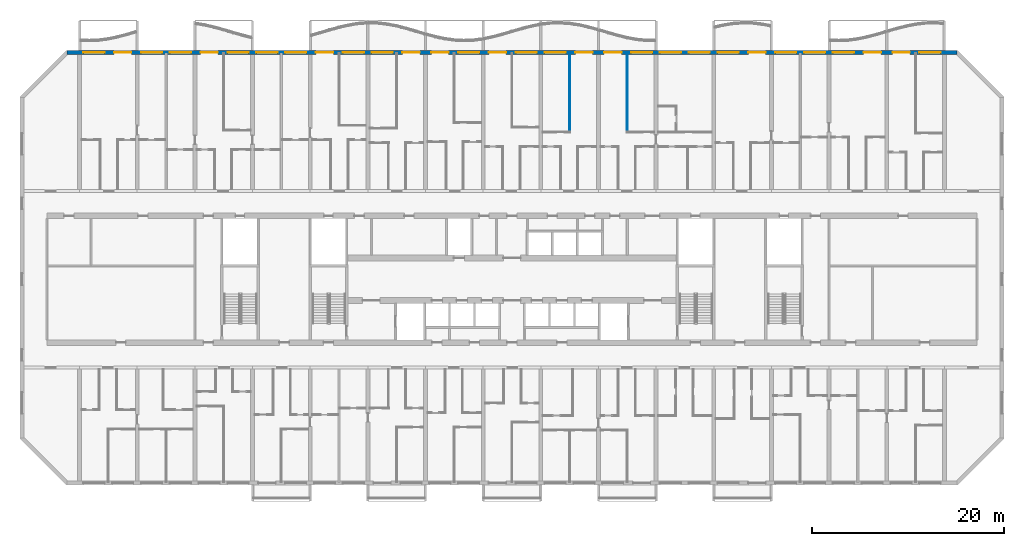
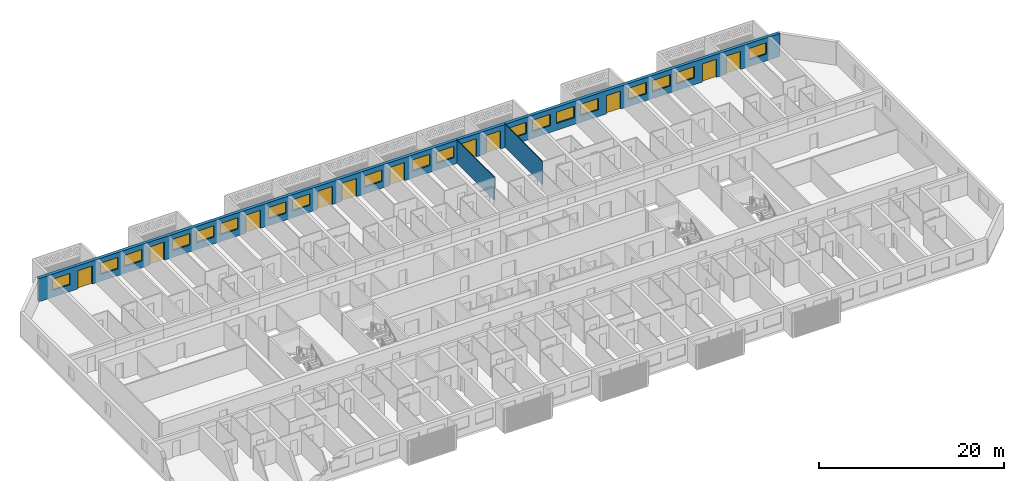
# One storey, part 15 of 44: 19 windows, 11 doors, 3 walls, 30 openings.
"""IFC4 building model written with IfcOpenShell, lengths in metres."""

from ifc_helpers import new_model, si_unit, direction, frame, frame_2d, origin, place, context, subcontext, project, spatial, rectangle, extrude, material, layer, layer_set, type_object, element, fill, save


model = new_model("IFC4")

# Units and contexts
model_context = context("Model", 3, precision=1e-05, world=origin(), true_north=direction((0.0, 1.0)))
body_context = subcontext(model_context, "Body", "Model", "MODEL_VIEW")
ifc_project = project(units=[si_unit("LENGTHUNIT", "METRE"), si_unit("AREAUNIT", "SQUARE_METRE"), si_unit("VOLUMEUNIT", "CUBIC_METRE"), si_unit("PLANEANGLEUNIT", "RADIAN"), si_unit("MASSUNIT", "GRAM", prefix="KILO")], contexts=[model_context])

# Site, building, storey
site_placement = place(None, origin())
site = spatial("IfcSite", under=ifc_project, at=site_placement, CompositionType="ELEMENT")
building_placement = place(site_placement, origin())
building = spatial("IfcBuilding", under=site, at=building_placement, Name="Poui Terraces", CompositionType="ELEMENT")
storey_placement = place(building_placement, frame((0.0, 0.0, 30.0)))
storey = spatial("IfcBuildingStorey", under=building, at=storey_placement, Name="L07", CompositionType="ELEMENT", Elevation=30.0)

# Wall, openings, doors, windows
ifc_material_1 = material(Name="Precast concrete 40 MPa", Category="concrete")
ifc_layer_1 = layer(ifc_material_1, 0.39990234375)
ifc_layer_set_1 = layer_set([ifc_layer_1], Name="Precast concrete 40 MPa")
wall_type_1 = type_object("IfcWallType", Name="EXTERNAL WALL 400", PredefinedType="STANDARD", material=ifc_layer_set_1)
wall_placement = place(storey_placement, frame((97.317138671875, 44.800048828125, 0.0), z_axis=(0.0, 0.0, 1.0), x_axis=(-1.0, 0.0, 0.0)))
wall = element("IfcWall", 1, at=wall_placement, inside=storey, type_object=wall_type_1, Name="EXTERNAL WALL N", PredefinedType="STANDARD", context=body_context, shape_type="SweptSolid", body=[
    extrude(rectangle(XDim=92.63427734375, YDim=0.39990234375, at=frame_2d((46.317138671875, 0.0))), origin(), (0.0, 0.0, 1.0), 3.050048828125),
])
opening_1_placement = place(wall_placement, frame((88.71728515625, 0.0, 0.89990234375)))
opening_1 = element("IfcOpeningElement", 2, at=opening_1_placement, cuts=wall, Name="Opening W1", PredefinedType="OPENING", context=body_context, shape_type="SweptSolid", body=[
    extrude(rectangle(XDim=2.199951171875, YDim=1.5, at=frame_2d((1.10009765625, 0.75))), frame((0.0, 0.2099609375, 0.0), z_axis=(0.0, -1.0, 0.0), x_axis=(1.0, 0.0, 0.0)), (0.0, 0.0, 1.0), 0.419921875),
])
opening_2_placement = place(wall_placement, frame((85.917236328125, 0.0, 0.0)))
opening_2 = element("IfcOpeningElement", 3, at=opening_2_placement, cuts=wall, Name="Opening BD1", PredefinedType="OPENING", context=body_context, shape_type="SweptSolid", body=[
    extrude(rectangle(XDim=1.800048828125, YDim=2.39990234375, at=frame_2d((0.89990234375, 1.199951171875))), frame((0.0, 0.2099609375, 0.0), z_axis=(0.0, -1.0, 0.0), x_axis=(1.0, 0.0, 0.0)), (0.0, 0.0, 1.0), 0.419921875),
])
opening_3_placement = place(wall_placement, frame((82.71728515625, 0.0, 0.89990234375)))
opening_3 = element("IfcOpeningElement", 4, at=opening_3_placement, cuts=wall, Name="Opening W1", PredefinedType="OPENING", context=body_context, shape_type="SweptSolid", body=[
    extrude(rectangle(XDim=2.199951171875, YDim=1.5, at=frame_2d((1.10009765625, 0.75))), frame((0.0, 0.2099609375, 0.0), z_axis=(0.0, -1.0, 0.0), x_axis=(1.0, 0.0, 0.0)), (0.0, 0.0, 1.0), 0.419921875),
])
opening_4_placement = place(wall_placement, frame((79.71728515625, 0.0, 0.89990234375)))
opening_4 = element("IfcOpeningElement", 5, at=opening_4_placement, cuts=wall, Name="Opening W1", PredefinedType="OPENING", context=body_context, shape_type="SweptSolid", body=[
    extrude(rectangle(XDim=2.199951171875, YDim=1.5, at=frame_2d((1.10009765625, 0.75))), frame((0.0, 0.2099609375, 0.0), z_axis=(0.0, -1.0, 0.0), x_axis=(1.0, 0.0, 0.0)), (0.0, 0.0, 1.0), 0.419921875),
])
opening_5_placement = place(wall_placement, frame((76.917236328125, 0.0, 0.0)))
opening_5 = element("IfcOpeningElement", 6, at=opening_5_placement, cuts=wall, Name="Opening BD1", PredefinedType="OPENING", context=body_context, shape_type="SweptSolid", body=[
    extrude(rectangle(XDim=1.800048828125, YDim=2.39990234375, at=frame_2d((0.89990234375, 1.199951171875))), frame((0.0, 0.2099609375, 0.0), z_axis=(0.0, -1.0, 0.0), x_axis=(1.0, 0.0, 0.0)), (0.0, 0.0, 1.0), 0.419921875),
])
opening_6_placement = place(wall_placement, frame((73.71728515625, 0.0, 0.89990234375)))
opening_6 = element("IfcOpeningElement", 7, at=opening_6_placement, cuts=wall, Name="Opening W1", PredefinedType="OPENING", context=body_context, shape_type="SweptSolid", body=[
    extrude(rectangle(XDim=2.199951171875, YDim=1.5, at=frame_2d((1.10009765625, 0.75))), frame((0.0, 0.2099609375, 0.0), z_axis=(0.0, -1.0, 0.0), x_axis=(1.0, 0.0, 0.0)), (0.0, 0.0, 1.0), 0.419921875),
])
opening_7_placement = place(wall_placement, frame((70.71728515625, 0.0, 0.89990234375)))
opening_7 = element("IfcOpeningElement", 8, at=opening_7_placement, cuts=wall, Name="Opening W1", PredefinedType="OPENING", context=body_context, shape_type="SweptSolid", body=[
    extrude(rectangle(XDim=2.199951171875, YDim=1.5, at=frame_2d((1.10009765625, 0.75))), frame((0.0, 0.2099609375, 0.0), z_axis=(0.0, -1.0, 0.0), x_axis=(1.0, 0.0, 0.0)), (0.0, 0.0, 1.0), 0.419921875),
])
opening_8_placement = place(wall_placement, frame((67.71728515625, 0.0, 0.89990234375)))
opening_8 = element("IfcOpeningElement", 9, at=opening_8_placement, cuts=wall, Name="Opening W1", PredefinedType="OPENING", context=body_context, shape_type="SweptSolid", body=[
    extrude(rectangle(XDim=2.199951171875, YDim=1.5, at=frame_2d((1.10009765625, 0.75))), frame((0.0, 0.2099609375, 0.0), z_axis=(0.0, -1.0, 0.0), x_axis=(1.0, 0.0, 0.0)), (0.0, 0.0, 1.0), 0.419921875),
])
opening_9_placement = place(wall_placement, frame((64.917236328125, 0.0, 0.0)))
opening_9 = element("IfcOpeningElement", 10, at=opening_9_placement, cuts=wall, Name="Opening BD1", PredefinedType="OPENING", context=body_context, shape_type="SweptSolid", body=[
    extrude(rectangle(XDim=1.800048828125, YDim=2.39990234375, at=frame_2d((0.89990234375, 1.199951171875))), frame((0.0, 0.2099609375, 0.0), z_axis=(0.0, -1.0, 0.0), x_axis=(1.0, 0.0, 0.0)), (0.0, 0.0, 1.0), 0.419921875),
])
opening_10_placement = place(wall_placement, frame((61.71728515625, 0.0, 0.89990234375)))
opening_10 = element("IfcOpeningElement", 11, at=opening_10_placement, cuts=wall, Name="Opening W1", PredefinedType="OPENING", context=body_context, shape_type="SweptSolid", body=[
    extrude(rectangle(XDim=2.199951171875, YDim=1.5, at=frame_2d((1.10009765625, 0.75))), frame((0.0, 0.2099609375, 0.0), z_axis=(0.0, -1.0, 0.0), x_axis=(1.0, 0.0, 0.0)), (0.0, 0.0, 1.0), 0.419921875),
])
opening_11_placement = place(wall_placement, frame((58.71728515625, 0.0, 0.89990234375)))
opening_11 = element("IfcOpeningElement", 12, at=opening_11_placement, cuts=wall, Name="Opening W1", PredefinedType="OPENING", context=body_context, shape_type="SweptSolid", body=[
    extrude(rectangle(XDim=2.199951171875, YDim=1.5, at=frame_2d((1.10009765625, 0.75))), frame((0.0, 0.2099609375, 0.0), z_axis=(0.0, -1.0, 0.0), x_axis=(1.0, 0.0, 0.0)), (0.0, 0.0, 1.0), 0.419921875),
])
opening_12_placement = place(wall_placement, frame((55.917236328125, 0.0, 0.0)))
opening_12 = element("IfcOpeningElement", 13, at=opening_12_placement, cuts=wall, Name="Opening BD1", PredefinedType="OPENING", context=body_context, shape_type="SweptSolid", body=[
    extrude(rectangle(XDim=1.800048828125, YDim=2.39990234375, at=frame_2d((0.89990234375, 1.199951171875))), frame((0.0, 0.2099609375, 0.0), z_axis=(0.0, -1.0, 0.0), x_axis=(1.0, 0.0, 0.0)), (0.0, 0.0, 1.0), 0.419921875),
])
opening_13_placement = place(wall_placement, frame((52.917236328125, 0.0, 0.0)))
opening_13 = element("IfcOpeningElement", 14, at=opening_13_placement, cuts=wall, Name="Opening BD1", PredefinedType="OPENING", context=body_context, shape_type="SweptSolid", body=[
    extrude(rectangle(XDim=1.800048828125, YDim=2.39990234375, at=frame_2d((0.89990234375, 1.199951171875))), frame((0.0, 0.2099609375, 0.0), z_axis=(0.0, -1.0, 0.0), x_axis=(1.0, 0.0, 0.0)), (0.0, 0.0, 1.0), 0.419921875),
])
opening_14_placement = place(wall_placement, frame((49.71728515625, 0.0, 0.89990234375)))
opening_14 = element("IfcOpeningElement", 15, at=opening_14_placement, cuts=wall, Name="Opening W1", PredefinedType="OPENING", context=body_context, shape_type="SweptSolid", body=[
    extrude(rectangle(XDim=2.199951171875, YDim=1.5, at=frame_2d((1.10009765625, 0.75))), frame((0.0, 0.2099609375, 0.0), z_axis=(0.0, -1.0, 0.0), x_axis=(1.0, 0.0, 0.0)), (0.0, 0.0, 1.0), 0.419921875),
])
opening_15_placement = place(wall_placement, frame((46.917236328125, 0.0, 0.0)))
opening_15 = element("IfcOpeningElement", 16, at=opening_15_placement, cuts=wall, Name="Opening BD1", PredefinedType="OPENING", context=body_context, shape_type="SweptSolid", body=[
    extrude(rectangle(XDim=1.800048828125, YDim=2.39990234375, at=frame_2d((0.89990234375, 1.199951171875))), frame((0.0, 0.2099609375, 0.0), z_axis=(0.0, -1.0, 0.0), x_axis=(1.0, 0.0, 0.0)), (0.0, 0.0, 1.0), 0.419921875),
])
opening_16_placement = place(wall_placement, frame((43.71728515625, 0.0, 0.89990234375)))
opening_16 = element("IfcOpeningElement", 17, at=opening_16_placement, cuts=wall, Name="Opening W1", PredefinedType="OPENING", context=body_context, shape_type="SweptSolid", body=[
    extrude(rectangle(XDim=2.199951171875, YDim=1.5, at=frame_2d((1.10009765625, 0.75))), frame((0.0, 0.2099609375, 0.0), z_axis=(0.0, -1.0, 0.0), x_axis=(1.0, 0.0, 0.0)), (0.0, 0.0, 1.0), 0.419921875),
])
opening_17_placement = place(wall_placement, frame((40.71728515625, 0.0, 0.89990234375)))
opening_17 = element("IfcOpeningElement", 18, at=opening_17_placement, cuts=wall, Name="Opening W1", PredefinedType="OPENING", context=body_context, shape_type="SweptSolid", body=[
    extrude(rectangle(XDim=2.199951171875, YDim=1.5, at=frame_2d((1.10009765625, 0.75))), frame((0.0, 0.2099609375, 0.0), z_axis=(0.0, -1.0, 0.0), x_axis=(1.0, 0.0, 0.0)), (0.0, 0.0, 1.0), 0.419921875),
])
opening_18_placement = place(wall_placement, frame((37.917236328125, 0.0, 0.0)))
opening_18 = element("IfcOpeningElement", 19, at=opening_18_placement, cuts=wall, Name="Opening BD1", PredefinedType="OPENING", context=body_context, shape_type="SweptSolid", body=[
    extrude(rectangle(XDim=1.800048828125, YDim=2.39990234375, at=frame_2d((0.89990234375, 1.199951171875))), frame((0.0, 0.2099609375, 0.0), z_axis=(0.0, -1.0, 0.0), x_axis=(1.0, 0.0, 0.0)), (0.0, 0.0, 1.0), 0.419921875),
])
opening_19_placement = place(wall_placement, frame((34.917236328125, 0.0, 0.0)))
opening_19 = element("IfcOpeningElement", 20, at=opening_19_placement, cuts=wall, Name="Opening BD1", PredefinedType="OPENING", context=body_context, shape_type="SweptSolid", body=[
    extrude(rectangle(XDim=1.800048828125, YDim=2.39990234375, at=frame_2d((0.89990234375, 1.199951171875))), frame((0.0, 0.2099609375, 0.0), z_axis=(0.0, -1.0, 0.0), x_axis=(1.0, 0.0, 0.0)), (0.0, 0.0, 1.0), 0.419921875),
])
opening_20_placement = place(wall_placement, frame((31.71728515625, 0.0, 0.89990234375)))
opening_20 = element("IfcOpeningElement", 21, at=opening_20_placement, cuts=wall, Name="Opening W1", PredefinedType="OPENING", context=body_context, shape_type="SweptSolid", body=[
    extrude(rectangle(XDim=2.199951171875, YDim=1.5, at=frame_2d((1.10009765625, 0.75))), frame((0.0, 0.2099609375, 0.0), z_axis=(0.0, -1.0, 0.0), x_axis=(1.0, 0.0, 0.0)), (0.0, 0.0, 1.0), 0.419921875),
])
opening_21_placement = place(wall_placement, frame((28.71728515625, 0.0, 0.89990234375)))
opening_21 = element("IfcOpeningElement", 22, at=opening_21_placement, cuts=wall, Name="Opening W1", PredefinedType="OPENING", context=body_context, shape_type="SweptSolid", body=[
    extrude(rectangle(XDim=2.199951171875, YDim=1.5, at=frame_2d((1.10009765625, 0.75))), frame((0.0, 0.2099609375, 0.0), z_axis=(0.0, -1.0, 0.0), x_axis=(1.0, 0.0, 0.0)), (0.0, 0.0, 1.0), 0.419921875),
])
opening_22_placement = place(wall_placement, frame((25.71728515625, 0.0, 0.89990234375)))
opening_22 = element("IfcOpeningElement", 23, at=opening_22_placement, cuts=wall, Name="Opening W1", PredefinedType="OPENING", context=body_context, shape_type="SweptSolid", body=[
    extrude(rectangle(XDim=2.199951171875, YDim=1.5, at=frame_2d((1.10009765625, 0.75))), frame((0.0, 0.2099609375, 0.0), z_axis=(0.0, -1.0, 0.0), x_axis=(1.0, 0.0, 0.0)), (0.0, 0.0, 1.0), 0.419921875),
])
opening_23_placement = place(wall_placement, frame((22.71728515625, 0.0, 0.89990234375)))
opening_23 = element("IfcOpeningElement", 24, at=opening_23_placement, cuts=wall, Name="Opening W1", PredefinedType="OPENING", context=body_context, shape_type="SweptSolid", body=[
    extrude(rectangle(XDim=2.199951171875, YDim=1.5, at=frame_2d((1.10009765625, 0.75))), frame((0.0, 0.2099609375, 0.0), z_axis=(0.0, -1.0, 0.0), x_axis=(1.0, 0.0, 0.0)), (0.0, 0.0, 1.0), 0.419921875),
])
opening_24_placement = place(wall_placement, frame((19.917236328125, 0.0, 0.0)))
opening_24 = element("IfcOpeningElement", 25, at=opening_24_placement, cuts=wall, Name="Opening BD1", PredefinedType="OPENING", context=body_context, shape_type="SweptSolid", body=[
    extrude(rectangle(XDim=1.800048828125, YDim=2.39990234375, at=frame_2d((0.89990234375, 1.199951171875))), frame((0.0, 0.2099609375, 0.0), z_axis=(0.0, -1.0, 0.0), x_axis=(1.0, 0.0, 0.0)), (0.0, 0.0, 1.0), 0.419921875),
])
opening_25_placement = place(wall_placement, frame((16.71728515625, 0.0, 0.89990234375)))
opening_25 = element("IfcOpeningElement", 26, at=opening_25_placement, cuts=wall, Name="Opening W1", PredefinedType="OPENING", context=body_context, shape_type="SweptSolid", body=[
    extrude(rectangle(XDim=2.199951171875, YDim=1.5, at=frame_2d((1.10009765625, 0.75))), frame((0.0, 0.2099609375, 0.0), z_axis=(0.0, -1.0, 0.0), x_axis=(1.0, 0.0, 0.0)), (0.0, 0.0, 1.0), 0.419921875),
])
opening_26_placement = place(wall_placement, frame((13.71728515625, 0.0, 0.89990234375)))
opening_26 = element("IfcOpeningElement", 27, at=opening_26_placement, cuts=wall, Name="Opening W1", PredefinedType="OPENING", context=body_context, shape_type="SweptSolid", body=[
    extrude(rectangle(XDim=2.199951171875, YDim=1.5, at=frame_2d((1.10009765625, 0.75))), frame((0.0, 0.2099609375, 0.0), z_axis=(0.0, -1.0, 0.0), x_axis=(1.0, 0.0, 0.0)), (0.0, 0.0, 1.0), 0.419921875),
])
opening_27_placement = place(wall_placement, frame((10.71728515625, 0.0, 0.89990234375)))
opening_27 = element("IfcOpeningElement", 28, at=opening_27_placement, cuts=wall, Name="Opening W1", PredefinedType="OPENING", context=body_context, shape_type="SweptSolid", body=[
    extrude(rectangle(XDim=2.199951171875, YDim=1.5, at=frame_2d((1.10009765625, 0.75))), frame((0.0, 0.2099609375, 0.0), z_axis=(0.0, -1.0, 0.0), x_axis=(1.0, 0.0, 0.0)), (0.0, 0.0, 1.0), 0.419921875),
])
opening_28_placement = place(wall_placement, frame((7.917236328125, 0.0, 0.0)))
opening_28 = element("IfcOpeningElement", 29, at=opening_28_placement, cuts=wall, Name="Opening BD1", PredefinedType="OPENING", context=body_context, shape_type="SweptSolid", body=[
    extrude(rectangle(XDim=1.800048828125, YDim=2.39990234375, at=frame_2d((0.89990234375, 1.199951171875))), frame((0.0, 0.2099609375, 0.0), z_axis=(0.0, -1.0, 0.0), x_axis=(1.0, 0.0, 0.0)), (0.0, 0.0, 1.0), 0.419921875),
])
opening_29_placement = place(wall_placement, frame((4.917236328125, 0.0, 0.0)))
opening_29 = element("IfcOpeningElement", 30, at=opening_29_placement, cuts=wall, Name="Opening BD1", PredefinedType="OPENING", context=body_context, shape_type="SweptSolid", body=[
    extrude(rectangle(XDim=1.800048828125, YDim=2.39990234375, at=frame_2d((0.89990234375, 1.199951171875))), frame((0.0, 0.2099609375, 0.0), z_axis=(0.0, -1.0, 0.0), x_axis=(1.0, 0.0, 0.0)), (0.0, 0.0, 1.0), 0.419921875),
])
opening_30_placement = place(wall_placement, frame((1.71728515625, 0.0, 0.89990234375)))
opening_30 = element("IfcOpeningElement", 31, at=opening_30_placement, cuts=wall, Name="Opening W1", PredefinedType="OPENING", context=body_context, shape_type="SweptSolid", body=[
    extrude(rectangle(XDim=2.199951171875, YDim=1.5, at=frame_2d((1.10009765625, 0.75))), frame((0.0, 0.2099609375, 0.0), z_axis=(0.0, -1.0, 0.0), x_axis=(1.0, 0.0, 0.0)), (0.0, 0.0, 1.0), 0.419921875),
])
ifc_material_2 = material(Name="Clear glass in aluminium frame", Category="aluminium")
door_type = type_object("IfcDoorType", Name="BALCONY DOOR 1800X2400", OperationType="DOUBLE_DOOR_SLIDING", PredefinedType="DOOR", material=ifc_material_2)
door_1_placement = place(opening_2_placement, origin())
door_1 = element("IfcDoor", 32, at=door_1_placement, inside=storey, type_object=door_type, Name="BD1 BALCONY DOOR", OperationType="DOUBLE_DOOR_SLIDING", OverallHeight=2.39990234375, OverallWidth=1.800048828125, PredefinedType="DOOR", context=body_context, shape_type="SweptSolid", body=[
    extrude(rectangle(XDim=1.800048828125, YDim=2.39990234375, at=frame_2d((0.89990234375, 1.199951171875))), frame((0.0, 0.02490234375, 0.0), z_axis=(0.0, -1.0, 0.0), x_axis=(1.0, 0.0, 0.0)), (0.0, 0.0, 1.0), 0.050048828125),
])
fill(opening_2, door_1)
door_2_placement = place(opening_5_placement, origin())
door_2 = element("IfcDoor", 33, at=door_2_placement, inside=storey, type_object=door_type, Name="BD1 BALCONY DOOR", OperationType="DOUBLE_DOOR_SLIDING", OverallHeight=2.39990234375, OverallWidth=1.800048828125, PredefinedType="DOOR", context=body_context, shape_type="SweptSolid", body=[
    extrude(rectangle(XDim=1.800048828125, YDim=2.39990234375, at=frame_2d((0.89990234375, 1.199951171875))), frame((0.0, 0.02490234375, 0.0), z_axis=(0.0, -1.0, 0.0), x_axis=(1.0, 0.0, 0.0)), (0.0, 0.0, 1.0), 0.050048828125),
])
fill(opening_5, door_2)
door_3_placement = place(opening_9_placement, origin())
door_3 = element("IfcDoor", 34, at=door_3_placement, inside=storey, type_object=door_type, Name="BD1 BALCONY DOOR", OperationType="DOUBLE_DOOR_SLIDING", OverallHeight=2.39990234375, OverallWidth=1.800048828125, PredefinedType="DOOR", context=body_context, shape_type="SweptSolid", body=[
    extrude(rectangle(XDim=1.800048828125, YDim=2.39990234375, at=frame_2d((0.89990234375, 1.199951171875))), frame((0.0, 0.02490234375, 0.0), z_axis=(0.0, -1.0, 0.0), x_axis=(1.0, 0.0, 0.0)), (0.0, 0.0, 1.0), 0.050048828125),
])
fill(opening_9, door_3)
door_4_placement = place(opening_12_placement, origin())
door_4 = element("IfcDoor", 35, at=door_4_placement, inside=storey, type_object=door_type, Name="BD1 BALCONY DOOR", OperationType="DOUBLE_DOOR_SLIDING", OverallHeight=2.39990234375, OverallWidth=1.800048828125, PredefinedType="DOOR", context=body_context, shape_type="SweptSolid", body=[
    extrude(rectangle(XDim=1.800048828125, YDim=2.39990234375, at=frame_2d((0.89990234375, 1.199951171875))), frame((0.0, 0.02490234375, 0.0), z_axis=(0.0, -1.0, 0.0), x_axis=(1.0, 0.0, 0.0)), (0.0, 0.0, 1.0), 0.050048828125),
])
fill(opening_12, door_4)
door_5_placement = place(opening_13_placement, origin())
door_5 = element("IfcDoor", 36, at=door_5_placement, inside=storey, type_object=door_type, Name="BD1 BALCONY DOOR", OperationType="DOUBLE_DOOR_SLIDING", OverallHeight=2.39990234375, OverallWidth=1.800048828125, PredefinedType="DOOR", context=body_context, shape_type="SweptSolid", body=[
    extrude(rectangle(XDim=1.800048828125, YDim=2.39990234375, at=frame_2d((0.89990234375, 1.199951171875))), frame((0.0, 0.02490234375, 0.0), z_axis=(0.0, -1.0, 0.0), x_axis=(1.0, 0.0, 0.0)), (0.0, 0.0, 1.0), 0.050048828125),
])
fill(opening_13, door_5)
door_6_placement = place(opening_15_placement, origin())
door_6 = element("IfcDoor", 37, at=door_6_placement, inside=storey, type_object=door_type, Name="BD1 BALCONY DOOR", OperationType="DOUBLE_DOOR_SLIDING", OverallHeight=2.39990234375, OverallWidth=1.800048828125, PredefinedType="DOOR", context=body_context, shape_type="SweptSolid", body=[
    extrude(rectangle(XDim=1.800048828125, YDim=2.39990234375, at=frame_2d((0.89990234375, 1.199951171875))), frame((0.0, 0.02490234375, 0.0), z_axis=(0.0, -1.0, 0.0), x_axis=(1.0, 0.0, 0.0)), (0.0, 0.0, 1.0), 0.050048828125),
])
fill(opening_15, door_6)
door_7_placement = place(opening_18_placement, origin())
door_7 = element("IfcDoor", 38, at=door_7_placement, inside=storey, type_object=door_type, Name="BD1 BALCONY DOOR", OperationType="DOUBLE_DOOR_SLIDING", OverallHeight=2.39990234375, OverallWidth=1.800048828125, PredefinedType="DOOR", context=body_context, shape_type="SweptSolid", body=[
    extrude(rectangle(XDim=1.800048828125, YDim=2.39990234375, at=frame_2d((0.89990234375, 1.199951171875))), frame((0.0, 0.02490234375, 0.0), z_axis=(0.0, -1.0, 0.0), x_axis=(1.0, 0.0, 0.0)), (0.0, 0.0, 1.0), 0.050048828125),
])
fill(opening_18, door_7)
door_8_placement = place(opening_19_placement, origin())
door_8 = element("IfcDoor", 39, at=door_8_placement, inside=storey, type_object=door_type, Name="BD1 BALCONY DOOR", OperationType="DOUBLE_DOOR_SLIDING", OverallHeight=2.39990234375, OverallWidth=1.800048828125, PredefinedType="DOOR", context=body_context, shape_type="SweptSolid", body=[
    extrude(rectangle(XDim=1.800048828125, YDim=2.39990234375, at=frame_2d((0.89990234375, 1.199951171875))), frame((0.0, 0.02490234375, 0.0), z_axis=(0.0, -1.0, 0.0), x_axis=(1.0, 0.0, 0.0)), (0.0, 0.0, 1.0), 0.050048828125),
])
fill(opening_19, door_8)
door_9_placement = place(opening_24_placement, origin())
door_9 = element("IfcDoor", 40, at=door_9_placement, inside=storey, type_object=door_type, Name="BD1 BALCONY DOOR", OperationType="DOUBLE_DOOR_SLIDING", OverallHeight=2.39990234375, OverallWidth=1.800048828125, PredefinedType="DOOR", context=body_context, shape_type="SweptSolid", body=[
    extrude(rectangle(XDim=1.800048828125, YDim=2.39990234375, at=frame_2d((0.89990234375, 1.199951171875))), frame((0.0, 0.02490234375, 0.0), z_axis=(0.0, -1.0, 0.0), x_axis=(1.0, 0.0, 0.0)), (0.0, 0.0, 1.0), 0.050048828125),
])
fill(opening_24, door_9)
door_10_placement = place(opening_28_placement, origin())
door_10 = element("IfcDoor", 41, at=door_10_placement, inside=storey, type_object=door_type, Name="BD1 BALCONY DOOR", OperationType="DOUBLE_DOOR_SLIDING", OverallHeight=2.39990234375, OverallWidth=1.800048828125, PredefinedType="DOOR", context=body_context, shape_type="SweptSolid", body=[
    extrude(rectangle(XDim=1.800048828125, YDim=2.39990234375, at=frame_2d((0.89990234375, 1.199951171875))), frame((0.0, 0.02490234375, 0.0), z_axis=(0.0, -1.0, 0.0), x_axis=(1.0, 0.0, 0.0)), (0.0, 0.0, 1.0), 0.050048828125),
])
fill(opening_28, door_10)
door_11_placement = place(opening_29_placement, origin())
door_11 = element("IfcDoor", 42, at=door_11_placement, inside=storey, type_object=door_type, Name="BD1 BALCONY DOOR", OperationType="DOUBLE_DOOR_SLIDING", OverallHeight=2.39990234375, OverallWidth=1.800048828125, PredefinedType="DOOR", context=body_context, shape_type="SweptSolid", body=[
    extrude(rectangle(XDim=1.800048828125, YDim=2.39990234375, at=frame_2d((0.89990234375, 1.199951171875))), frame((0.0, 0.02490234375, 0.0), z_axis=(0.0, -1.0, 0.0), x_axis=(1.0, 0.0, 0.0)), (0.0, 0.0, 1.0), 0.050048828125),
])
fill(opening_29, door_11)
window_type = type_object("IfcWindowType", Name="WINDOW 2200X1500", PartitioningType="DOUBLE_PANEL_HORIZONTAL", PredefinedType="WINDOW", material=ifc_material_2)
window_1_placement = place(opening_1_placement, origin())
window_1 = element("IfcWindow", 43, at=window_1_placement, inside=storey, type_object=window_type, Name="W1 WINDOW", OverallHeight=1.5, OverallWidth=2.199951171875, PartitioningType="DOUBLE_PANEL_HORIZONTAL", PredefinedType="WINDOW", context=body_context, shape_type="SweptSolid", body=[
    extrude(rectangle(XDim=2.199951171875, YDim=1.5, at=frame_2d((1.10009765625, 0.75))), frame((0.0, 0.030029296875, 0.0), z_axis=(0.0, -1.0, 0.0), x_axis=(1.0, 0.0, 0.0)), (0.0, 0.0, 1.0), 0.06005859375),
])
fill(opening_1, window_1)
window_2_placement = place(opening_3_placement, origin())
window_2 = element("IfcWindow", 44, at=window_2_placement, inside=storey, type_object=window_type, Name="W1 WINDOW", OverallHeight=1.5, OverallWidth=2.199951171875, PartitioningType="DOUBLE_PANEL_HORIZONTAL", PredefinedType="WINDOW", context=body_context, shape_type="SweptSolid", body=[
    extrude(rectangle(XDim=2.199951171875, YDim=1.5, at=frame_2d((1.10009765625, 0.75))), frame((0.0, 0.030029296875, 0.0), z_axis=(0.0, -1.0, 0.0), x_axis=(1.0, 0.0, 0.0)), (0.0, 0.0, 1.0), 0.06005859375),
])
fill(opening_3, window_2)
window_3_placement = place(opening_4_placement, origin())
window_3 = element("IfcWindow", 45, at=window_3_placement, inside=storey, type_object=window_type, Name="W1 WINDOW", OverallHeight=1.5, OverallWidth=2.199951171875, PartitioningType="DOUBLE_PANEL_HORIZONTAL", PredefinedType="WINDOW", context=body_context, shape_type="SweptSolid", body=[
    extrude(rectangle(XDim=2.199951171875, YDim=1.5, at=frame_2d((1.10009765625, 0.75))), frame((0.0, 0.030029296875, 0.0), z_axis=(0.0, -1.0, 0.0), x_axis=(1.0, 0.0, 0.0)), (0.0, 0.0, 1.0), 0.06005859375),
])
fill(opening_4, window_3)
window_4_placement = place(opening_6_placement, origin())
window_4 = element("IfcWindow", 46, at=window_4_placement, inside=storey, type_object=window_type, Name="W1 WINDOW", OverallHeight=1.5, OverallWidth=2.199951171875, PartitioningType="DOUBLE_PANEL_HORIZONTAL", PredefinedType="WINDOW", context=body_context, shape_type="SweptSolid", body=[
    extrude(rectangle(XDim=2.199951171875, YDim=1.5, at=frame_2d((1.10009765625, 0.75))), frame((0.0, 0.030029296875, 0.0), z_axis=(0.0, -1.0, 0.0), x_axis=(1.0, 0.0, 0.0)), (0.0, 0.0, 1.0), 0.06005859375),
])
fill(opening_6, window_4)
window_5_placement = place(opening_7_placement, origin())
window_5 = element("IfcWindow", 47, at=window_5_placement, inside=storey, type_object=window_type, Name="W1 WINDOW", OverallHeight=1.5, OverallWidth=2.199951171875, PartitioningType="DOUBLE_PANEL_HORIZONTAL", PredefinedType="WINDOW", context=body_context, shape_type="SweptSolid", body=[
    extrude(rectangle(XDim=2.199951171875, YDim=1.5, at=frame_2d((1.10009765625, 0.75))), frame((0.0, 0.030029296875, 0.0), z_axis=(0.0, -1.0, 0.0), x_axis=(1.0, 0.0, 0.0)), (0.0, 0.0, 1.0), 0.06005859375),
])
fill(opening_7, window_5)
window_6_placement = place(opening_8_placement, origin())
window_6 = element("IfcWindow", 48, at=window_6_placement, inside=storey, type_object=window_type, Name="W1 WINDOW", OverallHeight=1.5, OverallWidth=2.199951171875, PartitioningType="DOUBLE_PANEL_HORIZONTAL", PredefinedType="WINDOW", context=body_context, shape_type="SweptSolid", body=[
    extrude(rectangle(XDim=2.199951171875, YDim=1.5, at=frame_2d((1.10009765625, 0.75))), frame((0.0, 0.030029296875, 0.0), z_axis=(0.0, -1.0, 0.0), x_axis=(1.0, 0.0, 0.0)), (0.0, 0.0, 1.0), 0.06005859375),
])
fill(opening_8, window_6)
window_7_placement = place(opening_10_placement, origin())
window_7 = element("IfcWindow", 49, at=window_7_placement, inside=storey, type_object=window_type, Name="W1 WINDOW", OverallHeight=1.5, OverallWidth=2.199951171875, PartitioningType="DOUBLE_PANEL_HORIZONTAL", PredefinedType="WINDOW", context=body_context, shape_type="SweptSolid", body=[
    extrude(rectangle(XDim=2.199951171875, YDim=1.5, at=frame_2d((1.10009765625, 0.75))), frame((0.0, 0.030029296875, 0.0), z_axis=(0.0, -1.0, 0.0), x_axis=(1.0, 0.0, 0.0)), (0.0, 0.0, 1.0), 0.06005859375),
])
fill(opening_10, window_7)
window_8_placement = place(opening_11_placement, origin())
window_8 = element("IfcWindow", 50, at=window_8_placement, inside=storey, type_object=window_type, Name="W1 WINDOW", OverallHeight=1.5, OverallWidth=2.199951171875, PartitioningType="DOUBLE_PANEL_HORIZONTAL", PredefinedType="WINDOW", context=body_context, shape_type="SweptSolid", body=[
    extrude(rectangle(XDim=2.199951171875, YDim=1.5, at=frame_2d((1.10009765625, 0.75))), frame((0.0, 0.030029296875, 0.0), z_axis=(0.0, -1.0, 0.0), x_axis=(1.0, 0.0, 0.0)), (0.0, 0.0, 1.0), 0.06005859375),
])
fill(opening_11, window_8)
window_9_placement = place(opening_14_placement, origin())
window_9 = element("IfcWindow", 51, at=window_9_placement, inside=storey, type_object=window_type, Name="W1 WINDOW", OverallHeight=1.5, OverallWidth=2.199951171875, PartitioningType="DOUBLE_PANEL_HORIZONTAL", PredefinedType="WINDOW", context=body_context, shape_type="SweptSolid", body=[
    extrude(rectangle(XDim=2.199951171875, YDim=1.5, at=frame_2d((1.10009765625, 0.75))), frame((0.0, 0.030029296875, 0.0), z_axis=(0.0, -1.0, 0.0), x_axis=(1.0, 0.0, 0.0)), (0.0, 0.0, 1.0), 0.06005859375),
])
fill(opening_14, window_9)
window_10_placement = place(opening_16_placement, origin())
window_10 = element("IfcWindow", 52, at=window_10_placement, inside=storey, type_object=window_type, Name="W1 WINDOW", OverallHeight=1.5, OverallWidth=2.199951171875, PartitioningType="DOUBLE_PANEL_HORIZONTAL", PredefinedType="WINDOW", context=body_context, shape_type="SweptSolid", body=[
    extrude(rectangle(XDim=2.199951171875, YDim=1.5, at=frame_2d((1.10009765625, 0.75))), frame((0.0, 0.030029296875, 0.0), z_axis=(0.0, -1.0, 0.0), x_axis=(1.0, 0.0, 0.0)), (0.0, 0.0, 1.0), 0.06005859375),
])
fill(opening_16, window_10)
window_11_placement = place(opening_17_placement, origin())
window_11 = element("IfcWindow", 53, at=window_11_placement, inside=storey, type_object=window_type, Name="W1 WINDOW", OverallHeight=1.5, OverallWidth=2.199951171875, PartitioningType="DOUBLE_PANEL_HORIZONTAL", PredefinedType="WINDOW", context=body_context, shape_type="SweptSolid", body=[
    extrude(rectangle(XDim=2.199951171875, YDim=1.5, at=frame_2d((1.10009765625, 0.75))), frame((0.0, 0.030029296875, 0.0), z_axis=(0.0, -1.0, 0.0), x_axis=(1.0, 0.0, 0.0)), (0.0, 0.0, 1.0), 0.06005859375),
])
fill(opening_17, window_11)
window_12_placement = place(opening_20_placement, origin())
window_12 = element("IfcWindow", 54, at=window_12_placement, inside=storey, type_object=window_type, Name="W1 WINDOW", OverallHeight=1.5, OverallWidth=2.199951171875, PartitioningType="DOUBLE_PANEL_HORIZONTAL", PredefinedType="WINDOW", context=body_context, shape_type="SweptSolid", body=[
    extrude(rectangle(XDim=2.199951171875, YDim=1.5, at=frame_2d((1.10009765625, 0.75))), frame((0.0, 0.030029296875, 0.0), z_axis=(0.0, -1.0, 0.0), x_axis=(1.0, 0.0, 0.0)), (0.0, 0.0, 1.0), 0.06005859375),
])
fill(opening_20, window_12)
window_13_placement = place(opening_21_placement, origin())
window_13 = element("IfcWindow", 55, at=window_13_placement, inside=storey, type_object=window_type, Name="W1 WINDOW", OverallHeight=1.5, OverallWidth=2.199951171875, PartitioningType="DOUBLE_PANEL_HORIZONTAL", PredefinedType="WINDOW", context=body_context, shape_type="SweptSolid", body=[
    extrude(rectangle(XDim=2.199951171875, YDim=1.5, at=frame_2d((1.10009765625, 0.75))), frame((0.0, 0.030029296875, 0.0), z_axis=(0.0, -1.0, 0.0), x_axis=(1.0, 0.0, 0.0)), (0.0, 0.0, 1.0), 0.06005859375),
])
fill(opening_21, window_13)
window_14_placement = place(opening_22_placement, origin())
window_14 = element("IfcWindow", 56, at=window_14_placement, inside=storey, type_object=window_type, Name="W1 WINDOW", OverallHeight=1.5, OverallWidth=2.199951171875, PartitioningType="DOUBLE_PANEL_HORIZONTAL", PredefinedType="WINDOW", context=body_context, shape_type="SweptSolid", body=[
    extrude(rectangle(XDim=2.199951171875, YDim=1.5, at=frame_2d((1.10009765625, 0.75))), frame((0.0, 0.030029296875, 0.0), z_axis=(0.0, -1.0, 0.0), x_axis=(1.0, 0.0, 0.0)), (0.0, 0.0, 1.0), 0.06005859375),
])
fill(opening_22, window_14)
window_15_placement = place(opening_23_placement, origin())
window_15 = element("IfcWindow", 57, at=window_15_placement, inside=storey, type_object=window_type, Name="W1 WINDOW", OverallHeight=1.5, OverallWidth=2.199951171875, PartitioningType="DOUBLE_PANEL_HORIZONTAL", PredefinedType="WINDOW", context=body_context, shape_type="SweptSolid", body=[
    extrude(rectangle(XDim=2.199951171875, YDim=1.5, at=frame_2d((1.10009765625, 0.75))), frame((0.0, 0.030029296875, 0.0), z_axis=(0.0, -1.0, 0.0), x_axis=(1.0, 0.0, 0.0)), (0.0, 0.0, 1.0), 0.06005859375),
])
fill(opening_23, window_15)
window_16_placement = place(opening_25_placement, origin())
window_16 = element("IfcWindow", 58, at=window_16_placement, inside=storey, type_object=window_type, Name="W1 WINDOW", OverallHeight=1.5, OverallWidth=2.199951171875, PartitioningType="DOUBLE_PANEL_HORIZONTAL", PredefinedType="WINDOW", context=body_context, shape_type="SweptSolid", body=[
    extrude(rectangle(XDim=2.199951171875, YDim=1.5, at=frame_2d((1.10009765625, 0.75))), frame((0.0, 0.030029296875, 0.0), z_axis=(0.0, -1.0, 0.0), x_axis=(1.0, 0.0, 0.0)), (0.0, 0.0, 1.0), 0.06005859375),
])
fill(opening_25, window_16)
window_17_placement = place(opening_26_placement, origin())
window_17 = element("IfcWindow", 59, at=window_17_placement, inside=storey, type_object=window_type, Name="W1 WINDOW", OverallHeight=1.5, OverallWidth=2.199951171875, PartitioningType="DOUBLE_PANEL_HORIZONTAL", PredefinedType="WINDOW", context=body_context, shape_type="SweptSolid", body=[
    extrude(rectangle(XDim=2.199951171875, YDim=1.5, at=frame_2d((1.10009765625, 0.75))), frame((0.0, 0.030029296875, 0.0), z_axis=(0.0, -1.0, 0.0), x_axis=(1.0, 0.0, 0.0)), (0.0, 0.0, 1.0), 0.06005859375),
])
fill(opening_26, window_17)
window_18_placement = place(opening_27_placement, origin())
window_18 = element("IfcWindow", 60, at=window_18_placement, inside=storey, type_object=window_type, Name="W1 WINDOW", OverallHeight=1.5, OverallWidth=2.199951171875, PartitioningType="DOUBLE_PANEL_HORIZONTAL", PredefinedType="WINDOW", context=body_context, shape_type="SweptSolid", body=[
    extrude(rectangle(XDim=2.199951171875, YDim=1.5, at=frame_2d((1.10009765625, 0.75))), frame((0.0, 0.030029296875, 0.0), z_axis=(0.0, -1.0, 0.0), x_axis=(1.0, 0.0, 0.0)), (0.0, 0.0, 1.0), 0.06005859375),
])
fill(opening_27, window_18)
window_19_placement = place(opening_30_placement, origin())
window_19 = element("IfcWindow", 61, at=window_19_placement, inside=storey, type_object=window_type, Name="W1 WINDOW", OverallHeight=1.5, OverallWidth=2.199951171875, PartitioningType="DOUBLE_PANEL_HORIZONTAL", PredefinedType="WINDOW", context=body_context, shape_type="SweptSolid", body=[
    extrude(rectangle(XDim=2.199951171875, YDim=1.5, at=frame_2d((1.10009765625, 0.75))), frame((0.0, 0.030029296875, 0.0), z_axis=(0.0, -1.0, 0.0), x_axis=(1.0, 0.0, 0.0)), (0.0, 0.0, 1.0), 0.06005859375),
])
fill(opening_30, window_19)

# Walls
ifc_material_3 = material(Name="Plasterboard partition")
ifc_layer_2 = layer(ifc_material_3, 0.10009765625)
ifc_layer_set_2 = layer_set([ifc_layer_2], Name="Plasterboard partition")
wall_type_2 = type_object("IfcWallType", Name="FLAT PARTITION 100", PredefinedType="PARTITIONING", material=ifc_layer_set_2)
for number, where, z_axis, x_axis, name in (
    (62, (57.0, 36.550048828125, 0.0), (0.0, 0.0, 1.0), (0.0, 1.0, 0.0), "FLAT PARTITION 100"),
    (63, (63.0, 36.550048828125, 0.0), (0.0, 0.0, 1.0), (0.0, 1.0, 0.0), "FLAT PARTITION 100"),
):
    element("IfcWall", number, at=place(storey_placement, frame(where, z_axis=z_axis, x_axis=x_axis)), inside=storey, type_object=wall_type_2, Name=name, PredefinedType="PARTITIONING", context=body_context, shape_type="SweptSolid", body=[
        extrude(rectangle(XDim=8.18994140625, YDim=0.10009765625, at=frame_2d((4.094970703125, 0.0))), origin(), (0.0, 0.0, 1.0), 3.050048828125),
    ])

save(model, "model.ifc")
